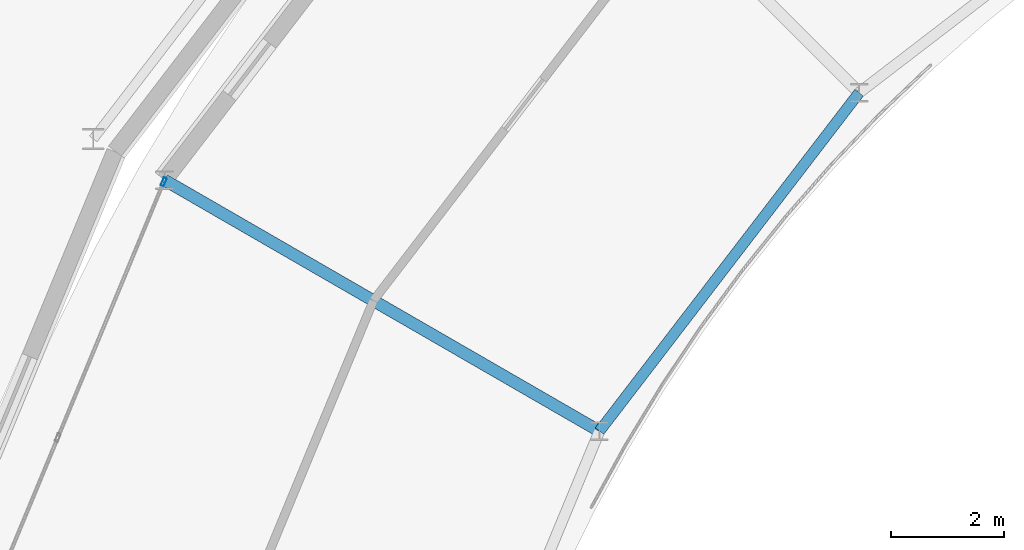
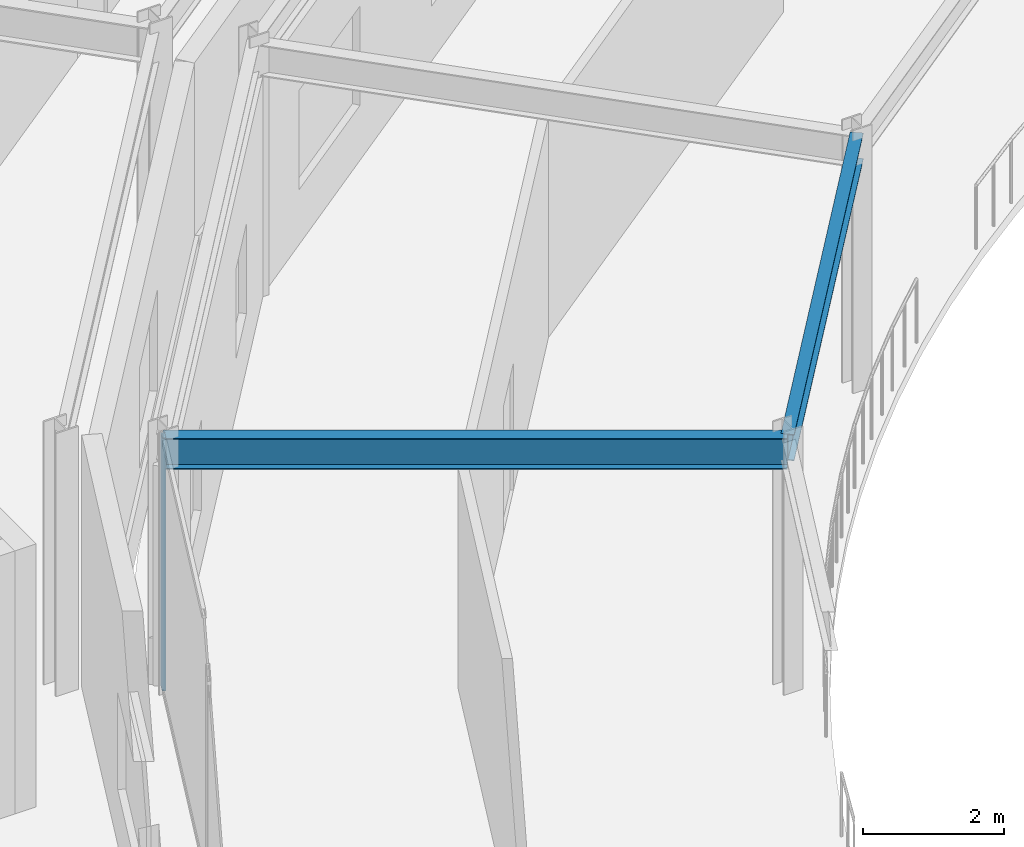
# One storey, part 61 of 157: 2 beams, 1 member, 1 element without a shape of its own.
"""IFC4 building model written with IfcOpenShell, lengths in metres."""

from ifc_helpers import new_model, si_unit, direction, frame, origin, origin_2d, place, context, subcontext, project, spatial, hollow_rectangle, i_section, extrude, material, material_profile, profile_set, type_object, element, aggregate, save


model = new_model("IFC4")

# Units and contexts
model_context = context("Model", 3, precision=1e-05, world=origin(), true_north=direction((0.0, 1.0)))
body_context = subcontext(model_context, "Body", "Model", "MODEL_VIEW")
ifc_project = project(units=[si_unit("LENGTHUNIT", "METRE"), si_unit("AREAUNIT", "SQUARE_METRE"), si_unit("VOLUMEUNIT", "CUBIC_METRE"), si_unit("PLANEANGLEUNIT", "RADIAN"), si_unit("MASSUNIT", "GRAM", prefix="KILO")], contexts=[model_context])

# Site, building, storey
site_placement = place(None, origin())
site = spatial("IfcSite", under=ifc_project, at=site_placement, CompositionType="ELEMENT")
building_placement = place(site_placement, origin())
building = spatial("IfcBuilding", under=site, at=building_placement, Name="Almandine Court Research Institute", CompositionType="ELEMENT")
storey_placement = place(building_placement, frame((0.0, 0.0, 5.25)))
storey = spatial("IfcBuildingStorey", under=building, at=storey_placement, Name="L01", CompositionType="ELEMENT", Elevation=5.25)

# Beams
ifc_material_1 = material(Name="Steel ASTM A992 Grade 50", Category="steel")
ifc_material_profile_1 = material_profile(ifc_material_1, i_section(OverallWidth=0.18994140625, OverallDepth=0.45703125, WebThickness=0.009033203125, FlangeThickness=0.014892578125, at=origin_2d()), Name="W460x74")
ifc_profile_set_1 = profile_set([ifc_material_profile_1], Name="Steel ASTM A992 Grade 50")
beam_type_1 = type_object("IfcBeamType", Name="Beam-B-01", PredefinedType="BEAM", material=ifc_profile_set_1)
beam_1_placement = place(storey_placement, frame((66.635009765625, 76.364990234375, 4.14111328125), z_axis=(-0.608738941187, -0.793370595297, 0.0), x_axis=(0.793370595297, -0.608738941187, 0.0)))
element("IfcBeam", 1, at=beam_1_placement, inside=storey, type_object=beam_type_1, Name="L01 Atrium Gallery Edge Beam", PredefinedType="BEAM", context=body_context, shape_type="SweptSolid", body=[
    extrude(i_section(OverallWidth=0.18994140625, OverallDepth=0.45703125, WebThickness=0.009033203125, FlangeThickness=0.014892578125, at=origin_2d()), origin(), (0.0, 0.0, 1.0), 7.5185546875),
])
ifc_material_profile_2 = material_profile(ifc_material_1, i_section(OverallWidth=0.2109375, OverallDepth=0.5390625, WebThickness=0.011962890625, FlangeThickness=0.01904296875, at=origin_2d()), Name="W530x109")
ifc_profile_set_2 = profile_set([ifc_material_profile_2], Name="Steel ASTM A992 Grade 50")
beam_type_2 = type_object("IfcBeamType", Name="Beam-G-04", PredefinedType="BEAM", material=ifc_profile_set_2)
beam_2_placement = place(storey_placement, frame((62.05810546875, 70.39990234375, 4.10009765625), z_axis=(-0.866015604063, 0.50001697323, 0.0), x_axis=(-0.50001697323, -0.866015604063, 0.0)))
element("IfcBeam", 2, at=beam_2_placement, inside=storey, type_object=beam_type_2, Name="L01 Atrium Gallery Radial Girder", PredefinedType="BEAM", context=body_context, shape_type="SweptSolid", body=[
    extrude(i_section(OverallWidth=0.2109375, OverallDepth=0.5390625, WebThickness=0.011962890625, FlangeThickness=0.01904296875, at=origin_2d()), origin(), (0.0, 0.0, 1.0), 8.849853515625),
])

# Curtain wall, member
ifc_material_2 = material(Name="Unitised Curtain Wall Framing and Solar Glazing", Category="glass")
curtain_wall_type = type_object("IfcCurtainWallType", Name="CW-CWG-24", PredefinedType="USERDEFINED", material=ifc_material_2)
curtain_wall_placement = place(storey_placement, origin())
curtain_wall = element("IfcCurtainWall", 3, at=curtain_wall_placement, inside=storey, type_object=curtain_wall_type, Name="L01 Interaction Atrium Perimeter Curtain Wall 10", ObjectType="UNITISED GLAZING", PredefinedType="USERDEFINED")
ifc_material_3 = material(Name="Anodised Aluminium AW-6063-T6", Category="aluminium")
ifc_material_profile_3 = material_profile(ifc_material_3, hollow_rectangle(XDim=0.06005859375, YDim=0.14990234375, WallThickness=0.00390625, at=origin_2d()), Name="ALU RHS 60x150x4")
ifc_profile_set_3 = profile_set([ifc_material_profile_3], Name="Anodised Aluminium AW-6063-T6")
member_type = type_object("IfcMemberType", Name="CWMul-60x150", PredefinedType="MULLION", material=ifc_profile_set_3)
member_placement = place(storey_placement, frame((54.380615234375, 74.794189453125, 0.0), z_axis=(0.0, 0.0, 1.0), x_axis=(-0.923900189297, 0.382633558665, 0.0)))
member = element("IfcMember", 4, at=member_placement, type_object=member_type, Name="CWG-24 mullion 3", PredefinedType="MULLION", context=body_context, shape_type="SweptSolid", body=[
    extrude(hollow_rectangle(XDim=0.06005859375, YDim=0.14990234375, WallThickness=0.00390625, at=origin_2d()), origin(), (0.0, 0.0, 1.0), 4.3701171875),
])
aggregate(curtain_wall, [member])

save(model, "model.ifc")
